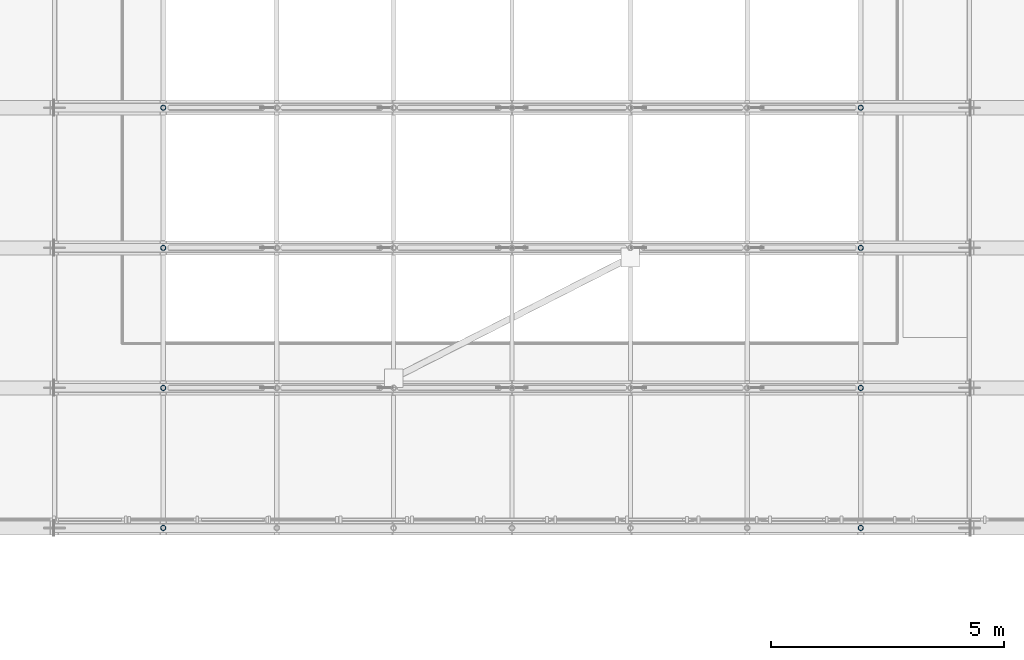
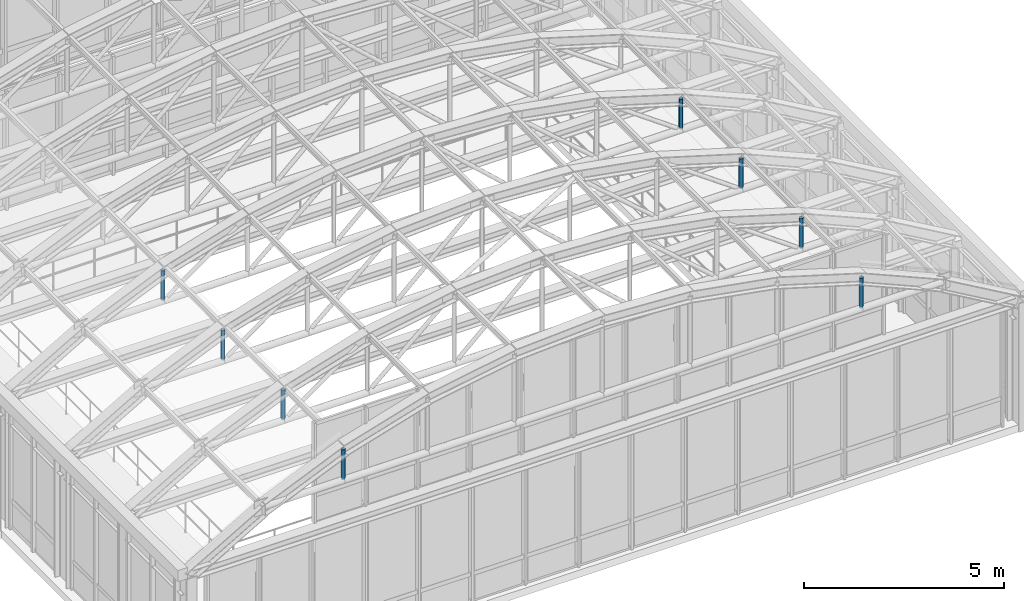
# One storey, part 91 of 148: 8 members.
"""IFC4 building model written with IfcOpenShell, lengths in metres."""

from ifc_helpers import new_model, si_unit, direction, frame, origin, origin_2d, place, context, subcontext, project, spatial, hollow_circle, extrude, material, material_profile, profile_set, type_object, element, save


model = new_model("IFC4")

# Units and contexts
model_context = context("Model", 3, precision=1e-05, world=origin(), true_north=direction((0.0, 1.0)))
body_context = subcontext(model_context, "Body", "Model", "MODEL_VIEW")
ifc_project = project(units=[si_unit("LENGTHUNIT", "METRE"), si_unit("AREAUNIT", "SQUARE_METRE"), si_unit("VOLUMEUNIT", "CUBIC_METRE"), si_unit("PLANEANGLEUNIT", "RADIAN"), si_unit("MASSUNIT", "GRAM", prefix="KILO"), si_unit("THERMODYNAMICTEMPERATUREUNIT", "KELVIN"), si_unit("POWERUNIT", "WATT")], contexts=[model_context])

# Site, building, storey
site_placement = place(None, origin())
site = spatial("IfcSite", under=ifc_project, at=site_placement, CompositionType="ELEMENT")
building_placement = place(site_placement, origin())
building = spatial("IfcBuilding", under=site, at=building_placement, Name="Solvatero Civic Police Headquarters", CompositionType="ELEMENT")
storey_placement = place(building_placement, frame((0.0, 0.0, 5.10009765625)))
storey = spatial("IfcBuildingStorey", under=building, at=storey_placement, Name="L01", CompositionType="ELEMENT", Elevation=5.10009765625)

# Members
ifc_material = material(Name="Steel S355", Category="steel")
ifc_material_profile = material_profile(ifc_material, hollow_circle(Radius=0.05712890625, WallThickness=0.008056640625, at=origin_2d()), Name="CHS 114.3x8.0")
ifc_profile_set = profile_set([ifc_material_profile], Name="Steel S355")
member_type = type_object("IfcMemberType", Name="MB-HNG-CHS114", PredefinedType="STRUT", material=ifc_profile_set)
for number, where, z_axis, x_axis, name in (
    (1, (69.330078125, 41.5, 5.17626953125), (0.0, 0.0, 1.0), (1.0, 0.0, 0.0), "VLT2 Vault Vertical Hanger F1.2"),
    (2, (84.27001953125, 41.5, 5.17626953125), (0.0, 0.0, 1.0), (1.0, 0.0, 0.0), "VLT2 Vault Vertical Hanger F1.8"),
    (3, (69.330078125, 44.5, 5.17626953125), (0.0, 0.0, 1.0), (1.0, 0.0, 0.0), "VLT2 Vault Vertical Hanger F2.2"),
    (4, (84.27001953125, 44.5, 5.17626953125), (0.0, 0.0, 1.0), (1.0, 0.0, 0.0), "VLT2 Vault Vertical Hanger F2.8"),
    (5, (69.330078125, 47.5, 5.17626953125), (0.0, 0.0, 1.0), (1.0, 0.0, 0.0), "VLT2 Vault Vertical Hanger F3.2"),
    (6, (84.27001953125, 47.5, 5.17626953125), (0.0, 0.0, 1.0), (1.0, 0.0, 0.0), "VLT2 Vault Vertical Hanger F3.8"),
    (7, (69.330078125, 50.5, 5.17626953125), (0.0, 0.0, 1.0), (1.0, 0.0, 0.0), "VLT2 Vault Vertical Hanger F4.2"),
    (8, (84.27001953125, 50.5, 5.17626953125), (0.0, 0.0, 1.0), (1.0, 0.0, 0.0), "VLT2 Vault Vertical Hanger F4.8"),
):
    element("IfcMember", number, at=place(storey_placement, frame(where, z_axis=z_axis, x_axis=x_axis)), inside=storey, type_object=member_type, Name=name, PredefinedType="STRUT", context=body_context, shape_type="SweptSolid", body=[
        extrude(hollow_circle(Radius=0.05712890625, WallThickness=0.008056640625, at=origin_2d()), origin(), (0.0, 0.0, 1.0), 0.917724609375),
    ])

save(model, "model.ifc")
